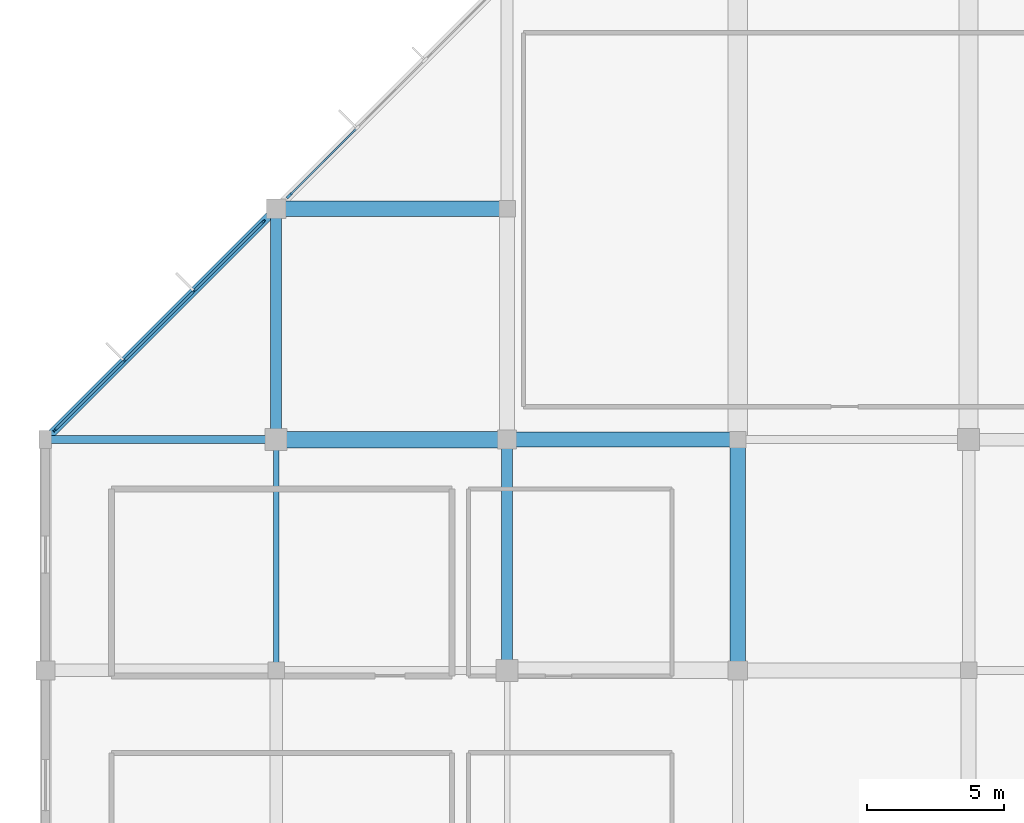
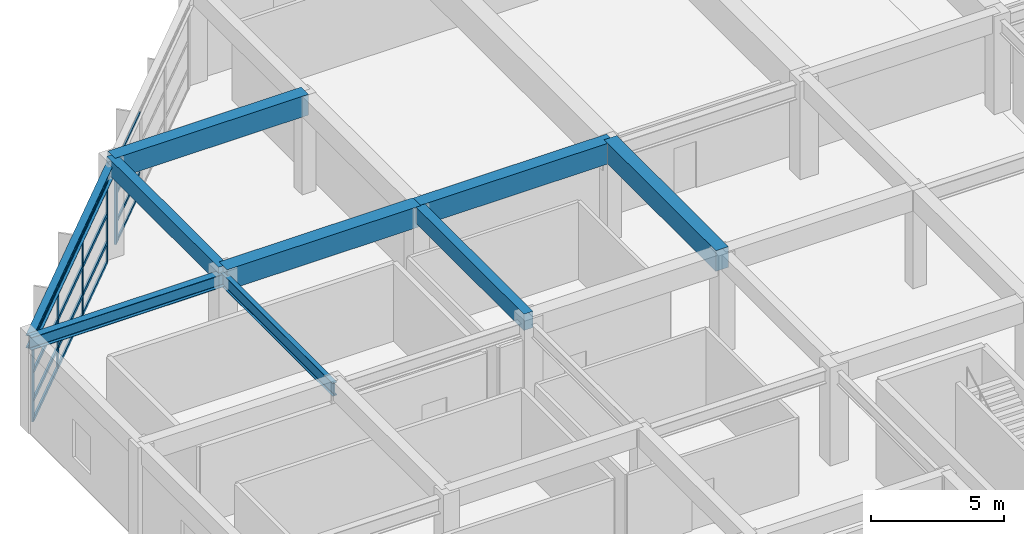
# One storey, part 24 of 65: 21 members, 9 beams, 2 elements without a shape of their own.
"""IFC4 building model written with IfcOpenShell, lengths in metres."""

from ifc_helpers import new_model, si_unit, direction, frame, origin, origin_2d, place, context, subcontext, project, spatial, rectangle, i_section, extrude, material, material_profile, profile_set, type_object, element, aggregate, save


model = new_model("IFC4")

# Units and contexts
model_context = context("Model", 3, precision=1e-05, world=origin(), true_north=direction((0.0, 1.0)))
body_context = subcontext(model_context, "Body", "Model", "MODEL_VIEW")
ifc_project = project(units=[si_unit("LENGTHUNIT", "METRE"), si_unit("AREAUNIT", "SQUARE_METRE"), si_unit("VOLUMEUNIT", "CUBIC_METRE"), si_unit("PLANEANGLEUNIT", "RADIAN"), si_unit("MASSUNIT", "GRAM", prefix="KILO")], contexts=[model_context])

# Site, building, storey
site_placement = place(None, origin())
site = spatial("IfcSite", under=ifc_project, at=site_placement, CompositionType="ELEMENT")
building_placement = place(site_placement, origin())
building = spatial("IfcBuilding", under=site, at=building_placement, Name="Xuanlan Plaza Opera House", CompositionType="ELEMENT")
storey_placement = place(building_placement, frame((0.0, 0.0, 5.39990234375)))
storey = spatial("IfcBuildingStorey", under=building, at=storey_placement, Name="L01", CompositionType="ELEMENT", Elevation=5.39990234375)

# Curtain wall, members
ifc_material_1 = material(Name="Anodised Aluminium 6063-T6 and Low-E Glass", Category="aluminium")
curtain_wall_type_1 = type_object("IfcCurtainWallType", Name="ENV-CW-CW-03", PredefinedType="USERDEFINED", material=ifc_material_1)
curtain_wall_1_placement = place(storey_placement, origin())
curtain_wall_1 = element("IfcCurtainWall", 1, at=curtain_wall_1_placement, inside=storey, type_object=curtain_wall_type_1, Name="Unitised Curtain Wall L01-048", ObjectType="UNITISED CURTAIN WALL", PredefinedType="USERDEFINED")
ifc_material_2 = material(Name="Anodised Aluminium 6063-T6", Category="aluminium")
ifc_material_profile_1 = material_profile(ifc_material_2, rectangle(XDim=0.06494140625, YDim=0.159912109375, at=origin_2d()), Name="ALU-M 65x160")
ifc_profile_set_1 = profile_set([ifc_material_profile_1], Name="Anodised Aluminium 6063-T6")
member_type_1 = type_object("IfcMemberType", Name="ENV-CWM-01", PredefinedType="MULLION", material=ifc_profile_set_1)
member_1_placement = place(storey_placement, frame((7.927978515625, 108.72802734375, 0.0), z_axis=(0.0, 0.0, 1.0), x_axis=(0.707106781187, -0.707106781187, 0.0)))
member_1 = element("IfcMember", 2, at=member_1_placement, type_object=member_type_1, Name="CW-03 mullion 1", PredefinedType="MULLION", context=body_context, shape_type="SweptSolid", body=[
    extrude(rectangle(XDim=0.06494140625, YDim=0.159912109375, at=origin_2d()), origin(), (0.0, 0.0, 1.0), 3.68017578125),
])
member_2_placement = place(storey_placement, frame((5.40869140625, 106.208740234375, 0.0), z_axis=(0.0, 0.0, 1.0), x_axis=(0.707106781187, -0.707106781187, 0.0)))
member_2 = element("IfcMember", 3, at=member_2_placement, type_object=member_type_1, Name="CW-03 mullion 2", PredefinedType="MULLION", context=body_context, shape_type="SweptSolid", body=[
    extrude(rectangle(XDim=0.06494140625, YDim=0.159912109375, at=origin_2d()), origin(), (0.0, 0.0, 1.0), 3.68017578125),
])
member_3_placement = place(storey_placement, frame((2.866455078125, 103.666259765625, 0.0), z_axis=(0.0, 0.0, 1.0), x_axis=(0.707106781187, -0.707106781187, 0.0)))
member_3 = element("IfcMember", 4, at=member_3_placement, type_object=member_type_1, Name="CW-03 mullion 3", PredefinedType="MULLION", context=body_context, shape_type="SweptSolid", body=[
    extrude(rectangle(XDim=0.06494140625, YDim=0.159912109375, at=origin_2d()), origin(), (0.0, 0.0, 1.0), 3.68017578125),
])
member_4_placement = place(storey_placement, frame((0.346923828125, 101.14697265625, 0.0), z_axis=(0.0, 0.0, 1.0), x_axis=(0.707106781187, -0.707106781187, 0.0)))
member_4 = element("IfcMember", 5, at=member_4_placement, type_object=member_type_1, Name="CW-03 mullion 4", PredefinedType="MULLION", context=body_context, shape_type="SweptSolid", body=[
    extrude(rectangle(XDim=0.06494140625, YDim=0.159912109375, at=origin_2d()), origin(), (0.0, 0.0, 1.0), 3.68017578125),
])

curtain_wall_type_2 = type_object("IfcCurtainWallType", Name="ENV-CW-CW-02", PredefinedType="USERDEFINED", material=ifc_material_1)
curtain_wall_2_placement = place(storey_placement, origin())
curtain_wall_2 = element("IfcCurtainWall", 6, at=curtain_wall_2_placement, inside=storey, type_object=curtain_wall_type_2, Name="Unitised Curtain Wall L01-047", ObjectType="UNITISED CURTAIN WALL", PredefinedType="USERDEFINED")
ifc_material_profile_2 = material_profile(ifc_material_2, rectangle(XDim=0.090087890625, YDim=0.25, at=origin_2d()), Name="ALU-M 90x250")
ifc_profile_set_2 = profile_set([ifc_material_profile_2], Name="Anodised Aluminium 6063-T6")
member_type_2 = type_object("IfcMemberType", Name="ENV-CWM-05", PredefinedType="MULLION", material=ifc_profile_set_2)
member_5_placement = place(storey_placement, frame((8.880859375, 109.680908203125, 0.0), z_axis=(0.0, 0.0, 1.0), x_axis=(0.707106781187, -0.707106781187, 0.0)))
member_5 = element("IfcMember", 7, at=member_5_placement, type_object=member_type_2, Name="CW-02 mullion 4", PredefinedType="MULLION", context=body_context, shape_type="SweptSolid", body=[
    extrude(rectangle(XDim=0.090087890625, YDim=0.25, at=origin_2d()), origin(), (0.0, 0.0, 1.0), 3.68017578125),
])
ifc_material_profile_3 = material_profile(ifc_material_2, rectangle(XDim=0.070068359375, YDim=0.135009765625, at=origin_2d()), Name="ALU-T 70x135")
ifc_profile_set_3 = profile_set([ifc_material_profile_3], Name="Anodised Aluminium 6063-T6")
member_type_3 = type_object("IfcMemberType", Name="ENV-CWT-02", PredefinedType="USERDEFINED", material=ifc_profile_set_3)
member_6_placement = place(storey_placement, frame((11.30126953125, 112.10107421875, 0.03515625), z_axis=(-0.707142917984, -0.707070642542, 0.0), x_axis=(0.707070642542, -0.707142917984, 0.0)))
member_6 = element("IfcMember", 8, at=member_6_placement, type_object=member_type_3, Name="CW-02 transom 3.1", ObjectType="TRANSOM", PredefinedType="USERDEFINED", context=body_context, shape_type="SweptSolid", body=[
    extrude(rectangle(XDim=0.070068359375, YDim=0.135009765625, at=origin_2d()), origin(), (0.0, 0.0, 1.0), 3.3779296875),
])
member_7_placement = place(storey_placement, frame((11.30126953125, 112.10107421875, 0.9501953125), z_axis=(-0.707142917984, -0.707070642542, 0.0), x_axis=(0.707070642542, -0.707142917984, 0.0)))
member_7 = element("IfcMember", 9, at=member_7_placement, type_object=member_type_3, Name="CW-02 transom 3.2", ObjectType="TRANSOM", PredefinedType="USERDEFINED", context=body_context, shape_type="SweptSolid", body=[
    extrude(rectangle(XDim=0.070068359375, YDim=0.135009765625, at=origin_2d()), origin(), (0.0, 0.0, 1.0), 3.3779296875),
])
member_8_placement = place(storey_placement, frame((11.30126953125, 112.10107421875, 2.25), z_axis=(-0.707142917984, -0.707070642542, 0.0), x_axis=(0.707070642542, -0.707142917984, 0.0)))
member_8 = element("IfcMember", 10, at=member_8_placement, type_object=member_type_3, Name="CW-02 transom 3.3", ObjectType="TRANSOM", PredefinedType="USERDEFINED", context=body_context, shape_type="SweptSolid", body=[
    extrude(rectangle(XDim=0.070068359375, YDim=0.135009765625, at=origin_2d()), origin(), (0.0, 0.0, 1.0), 3.3779296875),
])
member_9_placement = place(storey_placement, frame((11.30126953125, 112.10107421875, 3.64501953125), z_axis=(-0.707142917984, -0.707070642542, 0.0), x_axis=(0.707070642542, -0.707142917984, 0.0)))
member_9 = element("IfcMember", 11, at=member_9_placement, type_object=member_type_3, Name="CW-02 transom 3.4", ObjectType="TRANSOM", PredefinedType="USERDEFINED", context=body_context, shape_type="SweptSolid", body=[
    extrude(rectangle(XDim=0.070068359375, YDim=0.135009765625, at=origin_2d()), origin(), (0.0, 0.0, 1.0), 3.3779296875),
])
aggregate(curtain_wall_2, [member_5, member_6, member_7, member_8, member_9])

# Member
ifc_material_profile_4 = material_profile(ifc_material_2, rectangle(XDim=0.080078125, YDim=0.1650390625, at=origin_2d()), Name="ALU-T 80x165")
ifc_profile_set_4 = profile_set([ifc_material_profile_4], Name="Anodised Aluminium 6063-T6")
member_type_4 = type_object("IfcMemberType", Name="ENV-CWT-04", PredefinedType="USERDEFINED", material=ifc_profile_set_4)
member_10_placement = place(storey_placement, frame((7.905029296875, 108.705078125, 0.0400390625), z_axis=(-0.707106781187, -0.707106781187, 0.0), x_axis=(0.707106781187, -0.707106781187, 0.0)))
member_10 = element("IfcMember", 12, at=member_10_placement, type_object=member_type_4, Name="CW-03 transom 1.1", ObjectType="TRANSOM", PredefinedType="USERDEFINED", context=body_context, shape_type="SweptSolid", body=[
    extrude(rectangle(XDim=0.080078125, YDim=0.1650390625, at=origin_2d()), origin(), (0.0, 0.0, 1.0), 3.497802734375),
])

member_11_placement = place(storey_placement, frame((7.905029296875, 108.705078125, 0.9501953125), z_axis=(-0.707106781187, -0.707106781187, 0.0), x_axis=(0.707106781187, -0.707106781187, 0.0)))
member_11 = element("IfcMember", 13, at=member_11_placement, type_object=member_type_4, Name="CW-03 transom 1.2", ObjectType="TRANSOM", PredefinedType="USERDEFINED", context=body_context, shape_type="SweptSolid", body=[
    extrude(rectangle(XDim=0.080078125, YDim=0.1650390625, at=origin_2d()), origin(), (0.0, 0.0, 1.0), 3.497802734375),
])

member_12_placement = place(storey_placement, frame((7.905029296875, 108.705078125, 2.25), z_axis=(-0.707106781187, -0.707106781187, 0.0), x_axis=(0.707106781187, -0.707106781187, 0.0)))
member_12 = element("IfcMember", 14, at=member_12_placement, type_object=member_type_4, Name="CW-03 transom 1.3", ObjectType="TRANSOM", PredefinedType="USERDEFINED", context=body_context, shape_type="SweptSolid", body=[
    extrude(rectangle(XDim=0.080078125, YDim=0.1650390625, at=origin_2d()), origin(), (0.0, 0.0, 1.0), 3.497802734375),
])

member_13_placement = place(storey_placement, frame((7.905029296875, 108.705078125, 3.64013671875), z_axis=(-0.707106781187, -0.707106781187, 0.0), x_axis=(0.707106781187, -0.707106781187, 0.0)))
member_13 = element("IfcMember", 15, at=member_13_placement, type_object=member_type_4, Name="CW-03 transom 1.4", ObjectType="TRANSOM", PredefinedType="USERDEFINED", context=body_context, shape_type="SweptSolid", body=[
    extrude(rectangle(XDim=0.080078125, YDim=0.1650390625, at=origin_2d()), origin(), (0.0, 0.0, 1.0), 3.497802734375),
])

member_14_placement = place(storey_placement, frame((5.3857421875, 106.185791015625, 0.0400390625), z_axis=(-0.707072204683, -0.707141355999, 0.0), x_axis=(0.707141355999, -0.707072204683, 0.0)))
member_14 = element("IfcMember", 16, at=member_14_placement, type_object=member_type_4, Name="CW-03 transom 2.1", ObjectType="TRANSOM", PredefinedType="USERDEFINED", context=body_context, shape_type="SweptSolid", body=[
    extrude(rectangle(XDim=0.080078125, YDim=0.1650390625, at=origin_2d()), origin(), (0.0, 0.0, 1.0), 3.530517578125),
])

member_15_placement = place(storey_placement, frame((5.3857421875, 106.185791015625, 0.9501953125), z_axis=(-0.707072204683, -0.707141355999, 0.0), x_axis=(0.707141355999, -0.707072204683, 0.0)))
member_15 = element("IfcMember", 17, at=member_15_placement, type_object=member_type_4, Name="CW-03 transom 2.2", ObjectType="TRANSOM", PredefinedType="USERDEFINED", context=body_context, shape_type="SweptSolid", body=[
    extrude(rectangle(XDim=0.080078125, YDim=0.1650390625, at=origin_2d()), origin(), (0.0, 0.0, 1.0), 3.530517578125),
])

member_16_placement = place(storey_placement, frame((5.3857421875, 106.185791015625, 2.25), z_axis=(-0.707072204683, -0.707141355999, 0.0), x_axis=(0.707141355999, -0.707072204683, 0.0)))
member_16 = element("IfcMember", 18, at=member_16_placement, type_object=member_type_4, Name="CW-03 transom 2.3", ObjectType="TRANSOM", PredefinedType="USERDEFINED", context=body_context, shape_type="SweptSolid", body=[
    extrude(rectangle(XDim=0.080078125, YDim=0.1650390625, at=origin_2d()), origin(), (0.0, 0.0, 1.0), 3.530517578125),
])

member_17_placement = place(storey_placement, frame((5.3857421875, 106.185791015625, 3.64013671875), z_axis=(-0.707072204683, -0.707141355999, 0.0), x_axis=(0.707141355999, -0.707072204683, 0.0)))
member_17 = element("IfcMember", 19, at=member_17_placement, type_object=member_type_4, Name="CW-03 transom 2.4", ObjectType="TRANSOM", PredefinedType="USERDEFINED", context=body_context, shape_type="SweptSolid", body=[
    extrude(rectangle(XDim=0.080078125, YDim=0.1650390625, at=origin_2d()), origin(), (0.0, 0.0, 1.0), 3.530517578125),
])

member_18_placement = place(storey_placement, frame((2.84326171875, 103.643310546875, 0.0400390625), z_axis=(-0.707106781187, -0.707106781187, 0.0), x_axis=(0.707106781187, -0.707106781187, 0.0)))
member_18 = element("IfcMember", 20, at=member_18_placement, type_object=member_type_4, Name="CW-03 transom 3.1", ObjectType="TRANSOM", PredefinedType="USERDEFINED", context=body_context, shape_type="SweptSolid", body=[
    extrude(rectangle(XDim=0.080078125, YDim=0.1650390625, at=origin_2d()), origin(), (0.0, 0.0, 1.0), 3.497802734375),
])

member_19_placement = place(storey_placement, frame((2.84326171875, 103.643310546875, 0.9501953125), z_axis=(-0.707106781187, -0.707106781187, 0.0), x_axis=(0.707106781187, -0.707106781187, 0.0)))
member_19 = element("IfcMember", 21, at=member_19_placement, type_object=member_type_4, Name="CW-03 transom 3.2", ObjectType="TRANSOM", PredefinedType="USERDEFINED", context=body_context, shape_type="SweptSolid", body=[
    extrude(rectangle(XDim=0.080078125, YDim=0.1650390625, at=origin_2d()), origin(), (0.0, 0.0, 1.0), 3.497802734375),
])

member_20_placement = place(storey_placement, frame((2.84326171875, 103.643310546875, 2.25), z_axis=(-0.707106781187, -0.707106781187, 0.0), x_axis=(0.707106781187, -0.707106781187, 0.0)))
member_20 = element("IfcMember", 22, at=member_20_placement, type_object=member_type_4, Name="CW-03 transom 3.3", ObjectType="TRANSOM", PredefinedType="USERDEFINED", context=body_context, shape_type="SweptSolid", body=[
    extrude(rectangle(XDim=0.080078125, YDim=0.1650390625, at=origin_2d()), origin(), (0.0, 0.0, 1.0), 3.497802734375),
])

member_21_placement = place(storey_placement, frame((2.84326171875, 103.643310546875, 3.64013671875), z_axis=(-0.707106781187, -0.707106781187, 0.0), x_axis=(0.707106781187, -0.707106781187, 0.0)))
member_21 = element("IfcMember", 23, at=member_21_placement, type_object=member_type_4, Name="CW-03 transom 3.4", ObjectType="TRANSOM", PredefinedType="USERDEFINED", context=body_context, shape_type="SweptSolid", body=[
    extrude(rectangle(XDim=0.080078125, YDim=0.1650390625, at=origin_2d()), origin(), (0.0, 0.0, 1.0), 3.497802734375),
])

aggregate(curtain_wall_1, [member_1, member_2, member_3, member_4, member_10, member_11, member_12, member_13, member_14, member_15, member_16, member_17, member_18, member_19, member_20, member_21])

# Beams
ifc_material_3 = material(Name="Concrete C50", Category="concrete")
ifc_material_profile_5 = material_profile(ifc_material_3, rectangle(XDim=0.60009765625, YDim=0.949951171875, at=origin_2d()), Name="RC-BM 600x950")
ifc_profile_set_5 = profile_set([ifc_material_profile_5], Name="Concrete C50")
beam_type_1 = type_object("IfcBeamType", Name="STR-BM-B-01", PredefinedType="BEAM", material=ifc_profile_set_5)
beam_1_placement = place(storey_placement, frame((8.39990234375, 100.800048828125, 4.025146484375), z_axis=(1.0, 0.0, 0.0), x_axis=(0.0, 1.0, 0.0)))
element("IfcBeam", 24, at=beam_1_placement, inside=storey, type_object=beam_type_1, Name="Grid Beam X L01 2-3/M", PredefinedType="BEAM", context=body_context, shape_type="SweptSolid", body=[
    extrude(rectangle(XDim=0.60009765625, YDim=0.949951171875, at=origin_2d()), origin(), (0.0, 0.0, 1.0), 8.400146484375),
])
ifc_material_profile_6 = material_profile(ifc_material_3, rectangle(XDim=0.550048828125, YDim=0.949951171875, at=origin_2d()), Name="RC-BM 550x950")
ifc_profile_set_6 = profile_set([ifc_material_profile_6], Name="Concrete C50")
beam_type_2 = type_object("IfcBeamType", Name="STR-BM-B-02", PredefinedType="BEAM", material=ifc_profile_set_6)
beam_2_placement = place(storey_placement, frame((16.800048828125, 100.800048828125, 4.025146484375), z_axis=(1.0, 0.0, 0.0), x_axis=(0.0, 1.0, 0.0)))
element("IfcBeam", 25, at=beam_2_placement, inside=storey, type_object=beam_type_2, Name="Grid Beam X L01 3-4/M", PredefinedType="BEAM", context=body_context, shape_type="SweptSolid", body=[
    extrude(rectangle(XDim=0.550048828125, YDim=0.949951171875, at=origin_2d()), origin(), (0.0, 0.0, 1.0), 8.39990234375),
])
for number, where, z_axis, x_axis, name in (
    (26, (8.39990234375, 109.199951171875, 4.025146484375), (1.0, 0.0, 0.0), (0.0, 1.0, 0.0), "Grid Beam X L01 2-3/N"),
    (27, (25.199951171875, 92.39990234375, 4.025146484375), (0.0, 1.0, 0.0), (-1.0, 0.0, 0.0), "Grid Beam Y L01 4/L-M"),
):
    element("IfcBeam", number, at=place(storey_placement, frame(where, z_axis=z_axis, x_axis=x_axis)), inside=storey, type_object=beam_type_2, Name=name, PredefinedType="BEAM", context=body_context, shape_type="SweptSolid", body=[
        extrude(rectangle(XDim=0.550048828125, YDim=0.949951171875, at=origin_2d()), origin(), (0.0, 0.0, 1.0), 8.400146484375),
    ])
ifc_material_4 = material(Name="Concrete C40", Category="concrete")
ifc_material_profile_7 = material_profile(ifc_material_4, rectangle(XDim=0.39990234375, YDim=0.75, at=origin_2d()), Name="RC-BM 400x750")
ifc_profile_set_7 = profile_set([ifc_material_profile_7], Name="Concrete C40")
beam_type_3 = type_object("IfcBeamType", Name="STR-BM-B-06", PredefinedType="BEAM", material=ifc_profile_set_7)
beam_3_placement = place(storey_placement, frame((8.39990234375, 100.800048828125, 4.125), z_axis=(0.0, 1.0, 0.0), x_axis=(-1.0, 0.0, 0.0)))
element("IfcBeam", 28, at=beam_3_placement, inside=storey, type_object=beam_type_3, Name="Grid Beam Y L01 2/M-N", PredefinedType="BEAM", context=body_context, shape_type="SweptSolid", body=[
    extrude(rectangle(XDim=0.39990234375, YDim=0.75, at=origin_2d()), origin(), (0.0, 0.0, 1.0), 8.39990234375),
])
beam_4_placement = place(storey_placement, frame((16.800048828125, 92.39990234375, 4.125), z_axis=(0.0, 1.0, 0.0), x_axis=(-1.0, 0.0, 0.0)))
element("IfcBeam", 29, at=beam_4_placement, inside=storey, type_object=beam_type_3, Name="Grid Beam Y L01 3/L-M", PredefinedType="BEAM", context=body_context, shape_type="SweptSolid", body=[
    extrude(rectangle(XDim=0.39990234375, YDim=0.75, at=origin_2d()), origin(), (0.0, 0.0, 1.0), 8.400146484375),
])
ifc_material_5 = material(Name="Steel Q355B", Category="steel")
ifc_material_profile_8 = material_profile(ifc_material_5, i_section(OverallWidth=0.199951171875, OverallDepth=0.60009765625, WebThickness=0.010986328125, FlangeThickness=0.01708984375, FilletRadius=0.02197265625, at=origin_2d()), Name="HN 600x200x11x17")
ifc_profile_set_8 = profile_set([ifc_material_profile_8], Name="Steel Q355B")
beam_type_4 = type_object("IfcBeamType", Name="STR-BM-SB-04", PredefinedType="BEAM", material=ifc_profile_set_8)
beam_5_placement = place(storey_placement, frame((8.39990234375, 92.39990234375, 3.93505859375), z_axis=(0.0, 1.0, 0.0), x_axis=(-1.0, 0.0, 0.0)))
element("IfcBeam", 30, at=beam_5_placement, inside=storey, type_object=beam_type_4, Name="Grid Beam Y L01 2/L-M", PredefinedType="BEAM", context=body_context, shape_type="SweptSolid", body=[
    extrude(i_section(OverallWidth=0.199951171875, OverallDepth=0.60009765625, WebThickness=0.010986328125, FlangeThickness=0.01708984375, FilletRadius=0.02197265625, at=origin_2d()), origin(), (0.0, 0.0, 1.0), 8.400146484375),
])
ifc_material_profile_9 = material_profile(ifc_material_5, i_section(OverallWidth=0.300048828125, OverallDepth=0.587890625, WebThickness=0.011962890625, FlangeThickness=0.02001953125, FilletRadius=0.02392578125, at=origin_2d()), Name="HM 588x300x12x20")
ifc_profile_set_9 = profile_set([ifc_material_profile_9], Name="Steel Q355B")
beam_type_5 = type_object("IfcBeamType", Name="STR-BM-SB-06", PredefinedType="BEAM", material=ifc_profile_set_9)
beam_6_placement = place(storey_placement, frame((0.0, 100.800048828125, 3.941162109375), z_axis=(1.0, 0.0, 0.0), x_axis=(0.0, 1.0, 0.0)))
element("IfcBeam", 31, at=beam_6_placement, inside=storey, type_object=beam_type_5, Name="Grid Beam X L01 1-2/M", PredefinedType="BEAM", context=body_context, shape_type="SweptSolid", body=[
    extrude(i_section(OverallWidth=0.300048828125, OverallDepth=0.587890625, WebThickness=0.011962890625, FlangeThickness=0.02001953125, FilletRadius=0.02392578125, at=origin_2d()), origin(), (0.0, 0.0, 1.0), 8.39990234375),
])
ifc_material_profile_10 = material_profile(ifc_material_5, i_section(OverallWidth=0.300048828125, OverallDepth=0.587890625, WebThickness=0.011962890625, FlangeThickness=0.02001953125, FilletRadius=0.02392578125, at=origin_2d()), Name="HM 588x300x12x20")
ifc_profile_set_10 = profile_set([ifc_material_profile_10], Name="Steel Q355B")
beam_type_6 = type_object("IfcBeamType", Name="STR-BM-SP-03", PredefinedType="SPANDREL", material=ifc_profile_set_10)
beam_7_placement = place(storey_placement, frame((0.0, 100.800048828125, 3.941162109375), z_axis=(0.707106781187, 0.707106781187, 0.0), x_axis=(-0.707106781187, 0.707106781187, 0.0)))
element("IfcBeam", 32, at=beam_7_placement, inside=storey, type_object=beam_type_6, Name="Faceted Edge Spandrel L01 CH09A", PredefinedType="SPANDREL", context=body_context, shape_type="SweptSolid", body=[
    extrude(i_section(OverallWidth=0.300048828125, OverallDepth=0.587890625, WebThickness=0.011962890625, FlangeThickness=0.02001953125, FilletRadius=0.02392578125, at=origin_2d()), origin(), (0.0, 0.0, 1.0), 11.879150390625),
])

save(model, "model.ifc")
